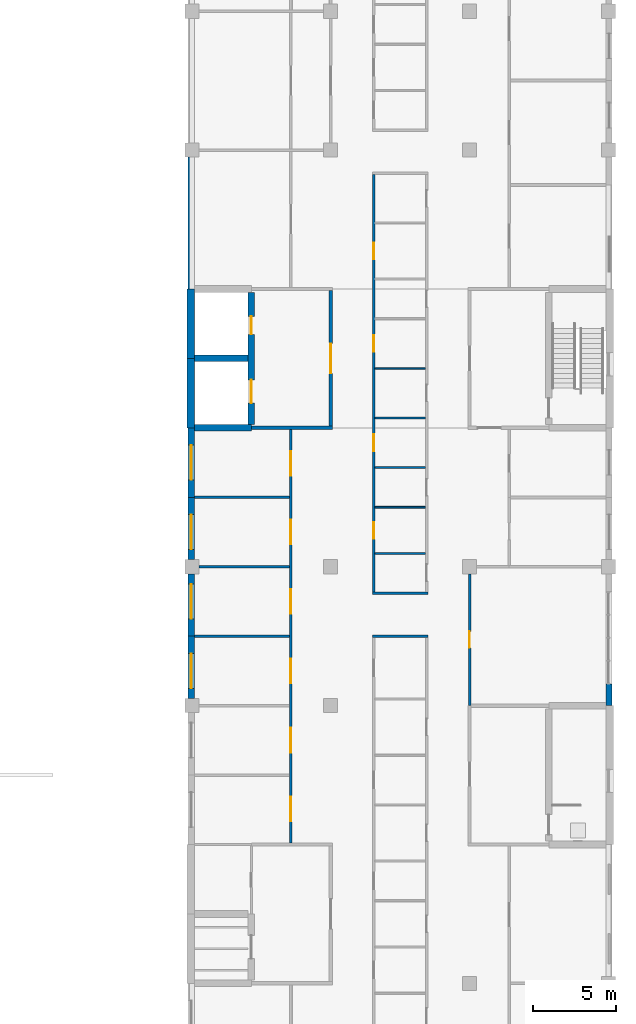
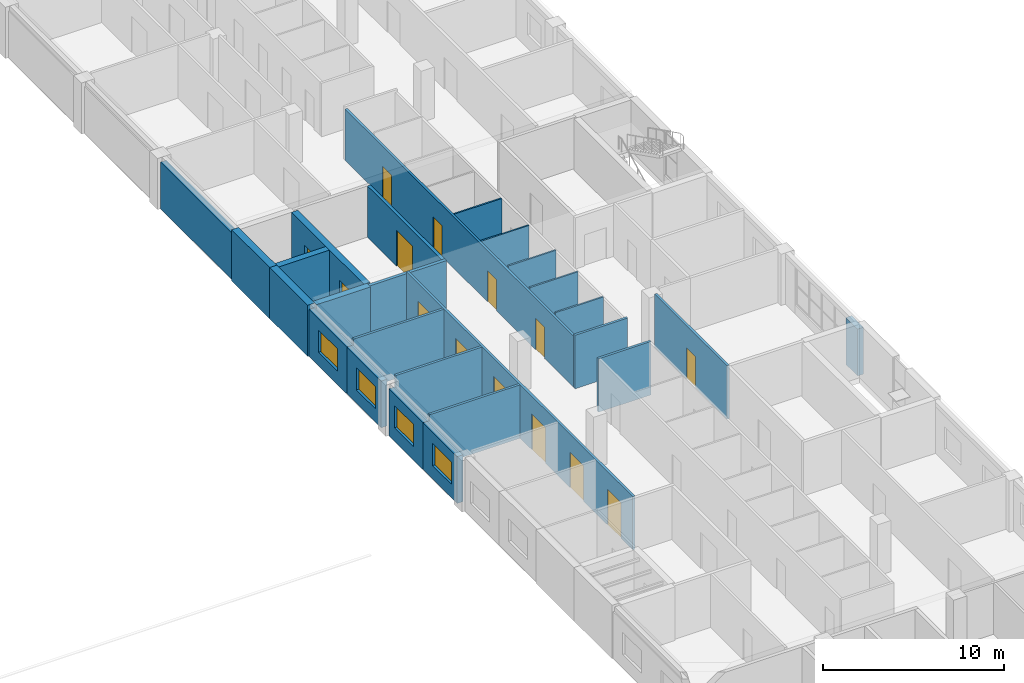
# One storey, part 75 of 94: 26 walls, 14 doors, 4 windows, 18 openings.
"""IFC4 building model written with IfcOpenShell, lengths in metres."""

import ifcopenshell
import ifcopenshell.guid

model = None  # the IFC model being written
_history = None  # IfcOwnerHistory: only IFC2X3 demands one
_inside = {}  # id of a spatial element -> (the spatial element, [elements in it])
_under = {}  # id of a project, library or spatial element -> (it, [spatial elements below it])
_declared = {}  # id of a project -> (the project, [libraries it declares])
_typed = {}  # id of a type object -> (the type object, [elements of that type])
_made_of = {}  # id of a material, layer set ... -> (it, [elements and type objects made of it])


def new_model(schema):
    """Start an empty IFC model of exactly this schema.

    Asked for "IFC4X3", IfcOpenShell would pick the latest addendum, in which some entities
    have other attributes; the version numbers below select the first issue.
    IFC2X3 requires an IfcOwnerHistory on every rooted entity: one is made here for all.
    """
    global model, _history
    if schema == "IFC4X3":
        model = ifcopenshell.file(schema_version=(4, 3, 0, 0))
    else:
        model = ifcopenshell.file(schema=schema)
    _inside.clear()
    _under.clear()
    _declared.clear()
    _typed.clear()
    _made_of.clear()
    _history = None
    if model.schema == "IFC2X3":
        org = make("IfcOrganization", Name="unknown")
        user = make(
            "IfcPersonAndOrganization",
            ThePerson=make("IfcPerson", FamilyName="unknown"),
            TheOrganization=org,
        )
        app = make(
            "IfcApplication",
            ApplicationDeveloper=org,
            Version="unknown",
            ApplicationFullName="unknown",
            ApplicationIdentifier="unknown",
        )
        _history = make(
            "IfcOwnerHistory",
            OwningUser=user,
            OwningApplication=app,
            ChangeAction="ADDED",
            CreationDate=0,
        )
    return model


def make(cls, **values):
    """One entity of the class cls with the attributes given. An attribute that is None is left unset."""
    return model.create_entity(
        cls, **{name: value for name, value in values.items() if value is not None}
    )


def rooted(cls, **values):
    """An entity with a GlobalId (a new one), such as an element, a storey or a relation."""
    return make(cls, GlobalId=ifcopenshell.guid.new(), OwnerHistory=_history, **values)


def si_unit(unit_type, name, prefix=None):
    """IfcSIUnit, for example si_unit("LENGTHUNIT", "METRE", prefix="MILLI")."""
    return make("IfcSIUnit", UnitType=unit_type, Prefix=prefix, Name=name)


def assignment(units):
    """IfcUnitAssignment: the units of a project."""
    return None if units is None else make("IfcUnitAssignment", Units=units)


def point(xyz):
    """IfcCartesianPoint."""
    return None if xyz is None else make("IfcCartesianPoint", Coordinates=xyz)


def direction(xyz):
    """IfcDirection."""
    return None if xyz is None else make("IfcDirection", DirectionRatios=xyz)


def frame(location, z_axis=None, x_axis=None):
    """IfcAxis2Placement3D, a coordinate frame: its origin and axes. An axis left out is left unset."""
    return make(
        "IfcAxis2Placement3D",
        Location=point(location),
        Axis=direction(z_axis),
        RefDirection=direction(x_axis),
    )


def frame_2d(location, x_axis=None):
    """IfcAxis2Placement2D, a coordinate frame in the plane: its origin and x axis."""
    return make(
        "IfcAxis2Placement2D", Location=point(location), RefDirection=direction(x_axis)
    )


def origin():
    """The frame at (0, 0, 0) with its axes left unset."""
    return frame((0.0, 0.0, 0.0))


def place(relative_to, where):
    """IfcLocalPlacement: puts the frame where relative to a parent placement (None: the world)."""
    return make(
        "IfcLocalPlacement", PlacementRelTo=relative_to, RelativePlacement=where
    )


def context(
    kind, dimensions, precision=None, world=None, true_north=None, identifier=None
):
    """IfcGeometricRepresentationContext, for example the 3D "Model" context."""
    return make(
        "IfcGeometricRepresentationContext",
        ContextIdentifier=identifier,
        ContextType=kind,
        CoordinateSpaceDimension=dimensions,
        Precision=precision,
        WorldCoordinateSystem=world,
        TrueNorth=true_north,
    )


def subcontext(parent, identifier, kind, view, scale=None):
    """IfcGeometricRepresentationSubContext, for example "Body" below "Model"."""
    return make(
        "IfcGeometricRepresentationSubContext",
        ContextIdentifier=identifier,
        ContextType=kind,
        ParentContext=parent,
        TargetScale=scale,
        TargetView=view,
    )


def project(units=None, contexts=None):
    """IfcProject with its units and contexts."""
    return rooted(
        "IfcProject",
        Name="project",
        RepresentationContexts=contexts,
        UnitsInContext=assignment(units),
    )


def spatial(cls, under=None, at=None, **own):
    """A site, building, storey or space (cls), placed at a placement, below another one or the project."""
    s = rooted(cls, ObjectPlacement=at, **own)
    if under is not None:
        _under.setdefault(under.id(), (under, []))[1].append(s)
    return s


def profile(cls, at=None, kind="AREA", **sizes):
    """A parametric profile (cls). Its sizes go by their IFC names, for example OverallWidth=200.0."""
    return make(cls, ProfileType=kind, Position=at, **sizes)


def rectangle(**sizes):
    """IfcRectangleProfileDef."""
    return profile("IfcRectangleProfileDef", **sizes)


def extrude(swept, where, along, depth):
    """IfcExtrudedAreaSolid: the profile swept, set in the frame where, extruded along a direction by depth."""
    return make(
        "IfcExtrudedAreaSolid",
        SweptArea=swept,
        Position=where,
        ExtrudedDirection=direction(along),
        Depth=depth,
    )


def shape(context_of_items, identifier, shape_type, items):
    """IfcShapeRepresentation: the items that make up one representation, for example the "Body"."""
    return make(
        "IfcShapeRepresentation",
        ContextOfItems=context_of_items,
        RepresentationIdentifier=identifier,
        RepresentationType=shape_type,
        Items=items,
    )


def material(Name=None, Category=None):
    """IfcMaterial."""
    return make("IfcMaterial", Name=Name, Category=Category)


def layer(
    of_material, thickness, ventilated=None, Name=None, Category=None, Priority=None
):
    """IfcMaterialLayer: one layer of a wall or slab, of a material (None: an air gap)."""
    return make(
        "IfcMaterialLayer",
        Material=of_material,
        LayerThickness=thickness,
        IsVentilated=ventilated,
        Name=Name,
        Category=Category,
        Priority=Priority,
    )


def layer_set(layers, Name=None):
    """IfcMaterialLayerSet."""
    return make("IfcMaterialLayerSet", MaterialLayers=layers, LayerSetName=Name)


def made_of(thing, what):
    """Note that an element or type object is made of a material, layer set ...; save() writes the relation."""
    if what is not None:
        _made_of.setdefault(what.id(), (what, []))[1].append(thing)
    return thing


def type_object(cls, material=None, **own):
    """A type object (cls), such as IfcWallType, which elements share."""
    return made_of(rooted(cls, **own), material)


def element(
    cls,
    number,
    at=None,
    inside=None,
    cuts=None,
    type_object=None,
    material=None,
    context=None,
    identifier="Body",
    shape_type=None,
    held_by="IfcProductDefinitionShape",
    body=None,
    shapes=None,
    **own,
):
    """One element of the class cls, such as IfcWall. Its Tag is "e" and its number.

    at: its placement. inside: the storey or other place that contains it. cuts: it is an
    opening in that element (IfcRelVoidsElement). A single representation is given by context,
    identifier, shape_type and body (its items); several are given by shapes. held_by: the class
    of the entity that holds the representations. save() writes the other relations.
    """
    e = rooted(cls, Tag="e%d" % number, ObjectPlacement=at, **own)
    if body is not None:
        shapes = [shape(context, identifier, shape_type, body)]
    if shapes is not None:
        e.Representation = make(held_by, Representations=shapes)
    if inside is not None:
        _inside.setdefault(inside.id(), (inside, []))[1].append(e)
    if cuts is not None:
        rooted(
            "IfcRelVoidsElement", RelatingBuildingElement=cuts, RelatedOpeningElement=e
        )
    if type_object is not None:
        _typed.setdefault(type_object.id(), (type_object, []))[1].append(e)
    return made_of(e, material)


def fill(opening, filler):
    """IfcRelFillsElement: the door or window that sits in an opening."""
    return rooted(
        "IfcRelFillsElement",
        RelatingOpeningElement=opening,
        RelatedBuildingElement=filler,
    )


def aggregate(whole, parts):
    """IfcRelAggregates: a whole, such as a stair, and the parts it consists of."""
    return rooted("IfcRelAggregates", RelatingObject=whole, RelatedObjects=parts)


def save(model, path):
    """Write the relations noted so far, then the file.

    IfcRelAggregates (storeys below a building ...), IfcRelContainedInSpatialStructure (elements
    in a storey), IfcRelDefinesByType, IfcRelAssociatesMaterial and IfcRelDeclares: one each for
    every whole, place, type object, material and project.
    """
    for whole, parts in _under.values():
        aggregate(whole, parts)
    for where, things in _inside.values():
        rooted(
            "IfcRelContainedInSpatialStructure",
            RelatedElements=things,
            RelatingStructure=where,
        )
    for kind, things in _typed.values():
        rooted("IfcRelDefinesByType", RelatedObjects=things, RelatingType=kind)
    for what, things in _made_of.values():
        rooted("IfcRelAssociatesMaterial", RelatedObjects=things, RelatingMaterial=what)
    for by, libraries in _declared.values():
        rooted("IfcRelDeclares", RelatingContext=by, RelatedDefinitions=libraries)
    model.write(path)


model = new_model("IFC4")

# Units and contexts
model_context = context("Model", 3, precision=1e-05, world=origin(), true_north=direction((0.0, 1.0)))
body_context = subcontext(model_context, "Body", "Model", "MODEL_VIEW")
ifc_project = project(units=[si_unit("LENGTHUNIT", "METRE"), si_unit("AREAUNIT", "SQUARE_METRE"), si_unit("VOLUMEUNIT", "CUBIC_METRE"), si_unit("PLANEANGLEUNIT", "RADIAN"), si_unit("MASSUNIT", "GRAM", prefix="KILO")], contexts=[model_context])

# Site, building, storey
site_placement = place(None, origin())
site = spatial("IfcSite", under=ifc_project, at=site_placement, CompositionType="ELEMENT")
building_placement = place(site_placement, origin())
building = spatial("IfcBuilding", under=site, at=building_placement, Name="Yavir Park General Hospital", CompositionType="ELEMENT")
storey_placement = place(building_placement, frame((0.0, 0.0, 4.5)))
storey = spatial("IfcBuildingStorey", under=building, at=storey_placement, Name="L01", CompositionType="ELEMENT", Elevation=4.5)

# Wall
ifc_material_1 = material(Name="Double gypsum board fire partition on steel studs", Category="steel")
ifc_layer_1 = layer(ifc_material_1, 0.199951171875)
ifc_layer_set_1 = layer_set([ifc_layer_1], Name="Double gypsum board fire partition on steel studs")
wall_type_1 = type_object("IfcWallType", Name="Fire-rated partition 200, EI 60", PredefinedType="PARTITIONING", material=ifc_layer_set_1)
wall_1_placement = place(storey_placement, frame((146.39990234375, 75.60009765625, 0.0), z_axis=(0.0, 0.0, 1.0), x_axis=(1.0, 0.0, 0.0)))
element("IfcWall", 1, at=wall_1_placement, inside=storey, type_object=wall_type_1, Name="FP20 L01-215", PredefinedType="PARTITIONING", context=body_context, shape_type="SweptSolid", body=[
    extrude(rectangle(XDim=4.900146484375, YDim=0.199951171875, at=frame_2d((2.4501953125, 0.0))), origin(), (0.0, 0.0, 1.0), 3.449951171875),
])

# Wall, opening, door
wall_2_placement = place(storey_placement, frame((151.199951171875, 75.699951171875, 0.0), z_axis=(0.0, 0.0, 1.0), x_axis=(0.0, 1.0, 0.0)))
wall_2 = element("IfcWall", 2, at=wall_2_placement, inside=storey, type_object=wall_type_1, Name="FP20 L01-474", PredefinedType="PARTITIONING", context=body_context, shape_type="SweptSolid", body=[
    extrude(rectangle(XDim=8.199951171875, YDim=0.199951171875, at=frame_2d((4.10009765625, 0.0))), origin(), (0.0, 0.0, 1.0), 3.449951171875),
])
opening_1_placement = place(wall_2_placement, frame((3.199951171875, 0.0, 0.0)))
opening_1 = element("IfcOpeningElement", 3, at=opening_1_placement, cuts=wall_2, Name="Opening L01.D264", PredefinedType="OPENING", context=body_context, shape_type="SweptSolid", body=[
    extrude(rectangle(XDim=1.800048828125, YDim=2.39990234375, at=frame_2d((0.89990234375, 1.199951171875))), frame((0.0, 0.10986328125, 0.0), z_axis=(0.0, -1.0, 0.0), x_axis=(1.0, 0.0, 0.0)), (0.0, 0.0, 1.0), 0.219970703125),
])
ifc_material_2 = material(Name="Steel frame, fire-resisting leaves with vision panels", Category="steel")
door_type_1 = type_object("IfcDoorType", Name="Double fire door with vision panels 1800 x 2400, EI 60", OperationType="DOUBLE_DOOR_SINGLE_SWING", PredefinedType="DOOR", material=ifc_material_2)
door_1_placement = place(opening_1_placement, origin())
door_1 = element("IfcDoor", 4, at=door_1_placement, inside=storey, type_object=door_type_1, Name="L01.D264", OperationType="SINGLE_SWING_LEFT", OverallHeight=2.39990234375, OverallWidth=1.800048828125, PredefinedType="DOOR", context=body_context, shape_type="SweptSolid", body=[
    extrude(rectangle(XDim=1.800048828125, YDim=2.39990234375, at=frame_2d((0.89990234375, 1.199951171875))), frame((0.0, 0.030029296875, 0.0), z_axis=(0.0, -1.0, 0.0), x_axis=(1.0, 0.0, 0.0)), (0.0, 0.0, 1.0), 0.06005859375),
])
fill(opening_1, door_1)

# Walls
ifc_material_3 = material(Name="Gypsum board partition on steel studs", Category="steel")
ifc_layer_2 = layer(ifc_material_3, 0.10009765625)
ifc_layer_set_2 = layer_set([ifc_layer_2], Name="Gypsum board partition on steel studs")
wall_type_2 = type_object("IfcWallType", Name="Gypsum board partition 100", PredefinedType="PARTITIONING", material=ifc_layer_set_2)
for number, where, z_axis, x_axis, name in (
    (5, (153.875, 68.0, 0.0), (0.0, 0.0, 1.0), (1.0, 0.0, 0.0), "P10 L01-197"),
    (6, (153.875, 70.800048828125, 0.0), (0.0, 0.0, 1.0), (1.0, 0.0, 0.0), "P10 L01-200"),
    (7, (153.875, 73.199951171875, 0.0), (0.0, 0.0, 1.0), (1.0, 0.0, 0.0), "P10 L01-209"),
):
    element("IfcWall", number, at=place(storey_placement, frame(where, z_axis=z_axis, x_axis=x_axis)), inside=storey, type_object=wall_type_2, Name=name, PredefinedType="PARTITIONING", context=body_context, shape_type="SweptSolid", body=[
        extrude(rectangle(XDim=3.050048828125, YDim=0.10009765625, at=frame_2d((1.52490234375, 0.0))), origin(), (0.0, 0.0, 1.0), 3.60009765625),
    ])
for number, where, z_axis, x_axis, name in (
    (8, (153.875, 76.199951171875, 0.0), (0.0, 0.0, 1.0), (1.0, 0.0, 0.0), "P10 L01-219"),
    (9, (153.875, 79.199951171875, 0.0), (0.0, 0.0, 1.0), (1.0, 0.0, 0.0), "P10 L01-221"),
):
    element("IfcWall", number, at=place(storey_placement, frame(where, z_axis=z_axis, x_axis=x_axis)), inside=storey, type_object=wall_type_2, Name=name, PredefinedType="PARTITIONING", context=body_context, shape_type="SweptSolid", body=[
        extrude(rectangle(XDim=3.050048828125, YDim=0.10009765625, at=frame_2d((1.52490234375, 0.0))), origin(), (0.0, 0.0, 1.0), 3.449951171875),
    ])
ifc_material_4 = material(Name="Gypsum board partition on steel studs", Category="steel")
ifc_layer_3 = layer(ifc_material_4, 0.14990234375)
ifc_layer_set_3 = layer_set([ifc_layer_3], Name="Gypsum board partition on steel studs")
wall_type_3 = type_object("IfcWallType", Name="Gypsum board partition 150", PredefinedType="PARTITIONING", material=ifc_layer_set_3)
wall_3_placement = place(storey_placement, frame((142.949951171875, 63.0, 0.0), z_axis=(0.0, 0.0, 1.0), x_axis=(1.0, 0.0, 0.0)))
element("IfcWall", 10, at=wall_3_placement, inside=storey, type_object=wall_type_3, Name="P15 L01-182", PredefinedType="PARTITIONING", context=body_context, shape_type="SweptSolid", body=[
    extrude(rectangle(XDim=5.775146484375, YDim=0.14990234375, at=frame_2d((2.8876953125, 0.0))), origin(), (0.0, 0.0, 1.0), 3.60009765625),
])
for number, where, z_axis, x_axis, name in (
    (11, (153.72509765625, 63.0, 0.0), (0.0, 0.0, 1.0), (1.0, 0.0, 0.0), "P15 L01-183"),
    (12, (153.72509765625, 65.60009765625, 0.0), (0.0, 0.0, 1.0), (1.0, 0.0, 0.0), "P15 L01-185"),
):
    element("IfcWall", number, at=place(storey_placement, frame(where, z_axis=z_axis, x_axis=x_axis)), inside=storey, type_object=wall_type_3, Name=name, PredefinedType="PARTITIONING", context=body_context, shape_type="SweptSolid", body=[
        extrude(rectangle(XDim=3.349853515625, YDim=0.14990234375, at=frame_2d((1.6748046875, 0.0))), origin(), (0.0, 0.0, 1.0), 3.60009765625),
    ])
wall_4_placement = place(storey_placement, frame((143.22509765625, 67.199951171875, 0.0), z_axis=(0.0, 0.0, 1.0), x_axis=(1.0, 0.0, 0.0)))
element("IfcWall", 13, at=wall_4_placement, inside=storey, type_object=wall_type_3, Name="P15 L01-194", PredefinedType="PARTITIONING", context=body_context, shape_type="SweptSolid", body=[
    extrude(rectangle(XDim=5.5, YDim=0.14990234375, at=frame_2d((2.75, 0.0))), origin(), (0.0, 0.0, 1.0), 3.60009765625),
])
wall_5_placement = place(storey_placement, frame((142.949951171875, 71.39990234375, 0.0), z_axis=(0.0, 0.0, 1.0), x_axis=(1.0, 0.0, 0.0)))
element("IfcWall", 14, at=wall_5_placement, inside=storey, type_object=wall_type_3, Name="P15 L01-202", PredefinedType="PARTITIONING", context=body_context, shape_type="SweptSolid", body=[
    extrude(rectangle(XDim=5.775146484375, YDim=0.14990234375, at=frame_2d((2.8876953125, 0.0))), origin(), (0.0, 0.0, 1.0), 3.60009765625),
])

# Wall, openings, doors
wall_6_placement = place(storey_placement, frame((148.800048828125, 50.5, 0.0), z_axis=(0.0, 0.0, 1.0), x_axis=(0.0, 1.0, 0.0)))
wall_6 = element("IfcWall", 15, at=wall_6_placement, inside=storey, type_object=wall_type_3, Name="P15 L01-464", PredefinedType="PARTITIONING", context=body_context, shape_type="SweptSolid", body=[
    extrude(rectangle(XDim=25.0, YDim=0.14990234375, at=frame_2d((12.5, 0.0))), origin(), (0.0, 0.0, 1.0), 3.60009765625),
])
opening_2_placement = place(wall_6_placement, frame((1.300048828125, 0.0, 0.0)))
opening_2 = element("IfcOpeningElement", 16, at=opening_2_placement, cuts=wall_6, Name="Opening L01.D252", PredefinedType="OPENING", context=body_context, shape_type="SweptSolid", body=[
    extrude(rectangle(XDim=1.5, YDim=2.39990234375, at=frame_2d((0.75, 1.199951171875))), frame((0.0, 0.0849609375, 0.0), z_axis=(0.0, -1.0, 0.0), x_axis=(1.0, 0.0, 0.0)), (0.0, 0.0, 1.0), 0.169921875),
])
opening_3_placement = place(wall_6_placement, frame((5.449951171875, 0.0, 0.0)))
opening_3 = element("IfcOpeningElement", 17, at=opening_3_placement, cuts=wall_6, Name="Opening L01.D253", PredefinedType="OPENING", context=body_context, shape_type="SweptSolid", body=[
    extrude(rectangle(XDim=1.5, YDim=2.39990234375, at=frame_2d((0.75, 1.199951171875))), frame((0.0, 0.0849609375, 0.0), z_axis=(0.0, -1.0, 0.0), x_axis=(1.0, 0.0, 0.0)), (0.0, 0.0, 1.0), 0.169921875),
])
opening_4_placement = place(wall_6_placement, frame((9.64990234375, 0.0, 0.0)))
opening_4 = element("IfcOpeningElement", 18, at=opening_4_placement, cuts=wall_6, Name="Opening L01.D254", PredefinedType="OPENING", context=body_context, shape_type="SweptSolid", body=[
    extrude(rectangle(XDim=1.5, YDim=2.39990234375, at=frame_2d((0.75, 1.199951171875))), frame((0.0, 0.0849609375, 0.0), z_axis=(0.0, -1.0, 0.0), x_axis=(1.0, 0.0, 0.0)), (0.0, 0.0, 1.0), 0.169921875),
])
opening_5_placement = place(wall_6_placement, frame((13.85009765625, 0.0, 0.0)))
opening_5 = element("IfcOpeningElement", 19, at=opening_5_placement, cuts=wall_6, Name="Opening L01.D255", PredefinedType="OPENING", context=body_context, shape_type="SweptSolid", body=[
    extrude(rectangle(XDim=1.5, YDim=2.39990234375, at=frame_2d((0.75, 1.199951171875))), frame((0.0, 0.0849609375, 0.0), z_axis=(0.0, -1.0, 0.0), x_axis=(1.0, 0.0, 0.0)), (0.0, 0.0, 1.0), 0.169921875),
])
opening_6_placement = place(wall_6_placement, frame((18.050048828125, 0.0, 0.0)))
opening_6 = element("IfcOpeningElement", 20, at=opening_6_placement, cuts=wall_6, Name="Opening L01.D256", PredefinedType="OPENING", context=body_context, shape_type="SweptSolid", body=[
    extrude(rectangle(XDim=1.5, YDim=2.39990234375, at=frame_2d((0.75, 1.199951171875))), frame((0.0, 0.0849609375, 0.0), z_axis=(0.0, -1.0, 0.0), x_axis=(1.0, 0.0, 0.0)), (0.0, 0.0, 1.0), 0.169921875),
])
opening_7_placement = place(wall_6_placement, frame((22.199951171875, 0.0, 0.0)))
opening_7 = element("IfcOpeningElement", 21, at=opening_7_placement, cuts=wall_6, Name="Opening L01.D257", PredefinedType="OPENING", context=body_context, shape_type="SweptSolid", body=[
    extrude(rectangle(XDim=1.5, YDim=2.39990234375, at=frame_2d((0.75, 1.199951171875))), frame((0.0, 0.0849609375, 0.0), z_axis=(0.0, -1.0, 0.0), x_axis=(1.0, 0.0, 0.0)), (0.0, 0.0, 1.0), 0.169921875),
])
ifc_material_5 = material(Name="Solid-core timber leaves, push plates, kick plates", Category="wood")
door_type_2 = type_object("IfcDoorType", Name="Bed door, unequal leaves 1500 x 2400", OperationType="DOUBLE_DOOR_SINGLE_SWING", PredefinedType="DOOR", material=ifc_material_5)
door_2_placement = place(opening_2_placement, origin())
door_2 = element("IfcDoor", 22, at=door_2_placement, inside=storey, type_object=door_type_2, Name="L01.D252", OperationType="SINGLE_SWING_LEFT", OverallHeight=2.39990234375, OverallWidth=1.5, PredefinedType="DOOR", context=body_context, shape_type="SweptSolid", body=[
    extrude(rectangle(XDim=1.5, YDim=2.39990234375, at=frame_2d((0.75, 1.199951171875))), frame((0.0, 0.030029296875, 0.0), z_axis=(0.0, -1.0, 0.0), x_axis=(1.0, 0.0, 0.0)), (0.0, 0.0, 1.0), 0.06005859375),
])
fill(opening_2, door_2)
door_3_placement = place(opening_3_placement, origin())
door_3 = element("IfcDoor", 23, at=door_3_placement, inside=storey, type_object=door_type_2, Name="L01.D253", OperationType="SINGLE_SWING_RIGHT", OverallHeight=2.39990234375, OverallWidth=1.5, PredefinedType="DOOR", context=body_context, shape_type="SweptSolid", body=[
    extrude(rectangle(XDim=1.5, YDim=2.39990234375, at=frame_2d((0.75, 1.199951171875))), frame((0.0, 0.030029296875, 0.0), z_axis=(0.0, -1.0, 0.0), x_axis=(1.0, 0.0, 0.0)), (0.0, 0.0, 1.0), 0.06005859375),
])
fill(opening_3, door_3)
door_4_placement = place(opening_4_placement, origin())
door_4 = element("IfcDoor", 24, at=door_4_placement, inside=storey, type_object=door_type_2, Name="L01.D254", OperationType="SINGLE_SWING_RIGHT", OverallHeight=2.39990234375, OverallWidth=1.5, PredefinedType="DOOR", context=body_context, shape_type="SweptSolid", body=[
    extrude(rectangle(XDim=1.5, YDim=2.39990234375, at=frame_2d((0.75, 1.199951171875))), frame((0.0, 0.030029296875, 0.0), z_axis=(0.0, -1.0, 0.0), x_axis=(1.0, 0.0, 0.0)), (0.0, 0.0, 1.0), 0.06005859375),
])
fill(opening_4, door_4)
door_5_placement = place(opening_5_placement, origin())
door_5 = element("IfcDoor", 25, at=door_5_placement, inside=storey, type_object=door_type_2, Name="L01.D255", OperationType="SINGLE_SWING_RIGHT", OverallHeight=2.39990234375, OverallWidth=1.5, PredefinedType="DOOR", context=body_context, shape_type="SweptSolid", body=[
    extrude(rectangle(XDim=1.5, YDim=2.39990234375, at=frame_2d((0.75, 1.199951171875))), frame((0.0, 0.030029296875, 0.0), z_axis=(0.0, -1.0, 0.0), x_axis=(1.0, 0.0, 0.0)), (0.0, 0.0, 1.0), 0.06005859375),
])
fill(opening_5, door_5)
door_6_placement = place(opening_6_placement, origin())
door_6 = element("IfcDoor", 26, at=door_6_placement, inside=storey, type_object=door_type_2, Name="L01.D256", OperationType="SINGLE_SWING_RIGHT", OverallHeight=2.39990234375, OverallWidth=1.5, PredefinedType="DOOR", context=body_context, shape_type="SweptSolid", body=[
    extrude(rectangle(XDim=1.5, YDim=2.39990234375, at=frame_2d((0.75, 1.199951171875))), frame((0.0, 0.030029296875, 0.0), z_axis=(0.0, -1.0, 0.0), x_axis=(1.0, 0.0, 0.0)), (0.0, 0.0, 1.0), 0.06005859375),
])
fill(opening_6, door_6)
door_7_placement = place(opening_7_placement, origin())
door_7 = element("IfcDoor", 27, at=door_7_placement, inside=storey, type_object=door_type_2, Name="L01.D257", OperationType="SINGLE_SWING_RIGHT", OverallHeight=2.39990234375, OverallWidth=1.5, PredefinedType="DOOR", context=body_context, shape_type="SweptSolid", body=[
    extrude(rectangle(XDim=1.5, YDim=2.39990234375, at=frame_2d((0.75, 1.199951171875))), frame((0.0, 0.030029296875, 0.0), z_axis=(0.0, -1.0, 0.0), x_axis=(1.0, 0.0, 0.0)), (0.0, 0.0, 1.0), 0.06005859375),
])
fill(opening_7, door_7)

wall_7_placement = place(storey_placement, frame((153.800048828125, 65.675048828125, 0.0), z_axis=(0.0, 0.0, 1.0), x_axis=(0.0, 1.0, 0.0)))
wall_7 = element("IfcWall", 28, at=wall_7_placement, inside=storey, type_object=wall_type_3, Name="P15 L01-480", PredefinedType="PARTITIONING", context=body_context, shape_type="SweptSolid", body=[
    extrude(rectangle(XDim=25.25, YDim=0.14990234375, at=frame_2d((12.625, 0.0))), origin(), (0.0, 0.0, 1.0), 3.449951171875),
])
opening_8_placement = place(wall_7_placement, frame((3.22509765625, 0.0, 0.0)))
opening_8 = element("IfcOpeningElement", 29, at=opening_8_placement, cuts=wall_7, Name="Opening L01.D272", PredefinedType="OPENING", context=body_context, shape_type="SweptSolid", body=[
    extrude(rectangle(XDim=1.0, YDim=2.10009765625, at=frame_2d((0.5, 1.050048828125))), frame((0.0, 0.0849609375, 0.0), z_axis=(0.0, -1.0, 0.0), x_axis=(1.0, 0.0, 0.0)), (0.0, 0.0, 1.0), 0.169921875),
])
opening_9_placement = place(wall_7_placement, frame((8.52490234375, 0.0, 0.0)))
opening_9 = element("IfcOpeningElement", 30, at=opening_9_placement, cuts=wall_7, Name="Opening L01.D273", PredefinedType="OPENING", context=body_context, shape_type="SweptSolid", body=[
    extrude(rectangle(XDim=1.0, YDim=2.10009765625, at=frame_2d((0.5, 1.050048828125))), frame((0.0, 0.0849609375, 0.0), z_axis=(0.0, -1.0, 0.0), x_axis=(1.0, 0.0, 0.0)), (0.0, 0.0, 1.0), 0.169921875),
])
opening_10_placement = place(wall_7_placement, frame((14.52490234375, 0.0, 0.0)))
opening_10 = element("IfcOpeningElement", 31, at=opening_10_placement, cuts=wall_7, Name="Opening L01.D274", PredefinedType="OPENING", context=body_context, shape_type="SweptSolid", body=[
    extrude(rectangle(XDim=1.0, YDim=2.10009765625, at=frame_2d((0.5, 1.050048828125))), frame((0.0, 0.0849609375, 0.0), z_axis=(0.0, -1.0, 0.0), x_axis=(1.0, 0.0, 0.0)), (0.0, 0.0, 1.0), 0.169921875),
])
opening_11_placement = place(wall_7_placement, frame((20.125, 0.0, 0.0)))
opening_11 = element("IfcOpeningElement", 32, at=opening_11_placement, cuts=wall_7, Name="Opening L01.D275", PredefinedType="OPENING", context=body_context, shape_type="SweptSolid", body=[
    extrude(rectangle(XDim=1.0, YDim=2.10009765625, at=frame_2d((0.5, 1.050048828125))), frame((0.0, 0.0849609375, 0.0), z_axis=(0.0, -1.0, 0.0), x_axis=(1.0, 0.0, 0.0)), (0.0, 0.0, 1.0), 0.169921875),
])
ifc_material_6 = material(Name="Hollow metal frame, solid-core timber leaf", Category="wood")
door_type_3 = type_object("IfcDoorType", Name="Single swing door 1000 x 2100", OperationType="SINGLE_SWING_LEFT", PredefinedType="DOOR", material=ifc_material_6)
door_8_placement = place(opening_8_placement, origin())
door_8 = element("IfcDoor", 33, at=door_8_placement, inside=storey, type_object=door_type_3, Name="L01.D272", OperationType="SINGLE_SWING_LEFT", OverallHeight=2.10009765625, OverallWidth=1.0, PredefinedType="DOOR", context=body_context, shape_type="SweptSolid", body=[
    extrude(rectangle(XDim=1.0, YDim=2.10009765625, at=frame_2d((0.5, 1.050048828125))), frame((0.0, 0.02490234375, 0.0), z_axis=(0.0, -1.0, 0.0), x_axis=(1.0, 0.0, 0.0)), (0.0, 0.0, 1.0), 0.050048828125),
])
fill(opening_8, door_8)
door_9_placement = place(opening_9_placement, origin())
door_9 = element("IfcDoor", 34, at=door_9_placement, inside=storey, type_object=door_type_3, Name="L01.D273", OperationType="SINGLE_SWING_LEFT", OverallHeight=2.10009765625, OverallWidth=1.0, PredefinedType="DOOR", context=body_context, shape_type="SweptSolid", body=[
    extrude(rectangle(XDim=1.0, YDim=2.10009765625, at=frame_2d((0.5, 1.050048828125))), frame((0.0, 0.02490234375, 0.0), z_axis=(0.0, -1.0, 0.0), x_axis=(1.0, 0.0, 0.0)), (0.0, 0.0, 1.0), 0.050048828125),
])
fill(opening_9, door_9)
door_10_placement = place(opening_10_placement, origin())
door_10 = element("IfcDoor", 35, at=door_10_placement, inside=storey, type_object=door_type_3, Name="L01.D274", OperationType="SINGLE_SWING_LEFT", OverallHeight=2.10009765625, OverallWidth=1.0, PredefinedType="DOOR", context=body_context, shape_type="SweptSolid", body=[
    extrude(rectangle(XDim=1.0, YDim=2.10009765625, at=frame_2d((0.5, 1.050048828125))), frame((0.0, 0.02490234375, 0.0), z_axis=(0.0, -1.0, 0.0), x_axis=(1.0, 0.0, 0.0)), (0.0, 0.0, 1.0), 0.050048828125),
])
fill(opening_10, door_10)
door_11_placement = place(opening_11_placement, origin())
door_11 = element("IfcDoor", 36, at=door_11_placement, inside=storey, type_object=door_type_3, Name="L01.D275", OperationType="SINGLE_SWING_LEFT", OverallHeight=2.10009765625, OverallWidth=1.0, PredefinedType="DOOR", context=body_context, shape_type="SweptSolid", body=[
    extrude(rectangle(XDim=1.0, YDim=2.10009765625, at=frame_2d((0.5, 1.050048828125))), frame((0.0, 0.02490234375, 0.0), z_axis=(0.0, -1.0, 0.0), x_axis=(1.0, 0.0, 0.0)), (0.0, 0.0, 1.0), 0.050048828125),
])
fill(opening_11, door_11)

# Wall, opening, door
wall_8_placement = place(storey_placement, frame((159.60009765625, 58.800048828125, 0.0), z_axis=(0.0, 0.0, 1.0), x_axis=(0.0, 1.0, 0.0)))
wall_8 = element("IfcWall", 37, at=wall_8_placement, inside=storey, type_object=wall_type_3, Name="P15 L01-496", PredefinedType="PARTITIONING", context=body_context, shape_type="SweptSolid", body=[
    extrude(rectangle(XDim=7.974853515625, YDim=0.14990234375, at=frame_2d((3.9873046875, 0.0))), origin(), (0.0, 0.0, 1.0), 3.60009765625),
])
opening_12_placement = place(wall_8_placement, frame((3.487548828125, 0.0, 0.0)))
opening_12 = element("IfcOpeningElement", 38, at=opening_12_placement, cuts=wall_8, Name="Opening L01.D295", PredefinedType="OPENING", context=body_context, shape_type="SweptSolid", body=[
    extrude(rectangle(XDim=1.0, YDim=2.10009765625, at=frame_2d((0.5, 1.050048828125))), frame((0.0, 0.0849609375, 0.0), z_axis=(0.0, -1.0, 0.0), x_axis=(1.0, 0.0, 0.0)), (0.0, 0.0, 1.0), 0.169921875),
])
door_12_placement = place(opening_12_placement, origin())
door_12 = element("IfcDoor", 39, at=door_12_placement, inside=storey, type_object=door_type_3, Name="L01.D295", OperationType="SINGLE_SWING_LEFT", OverallHeight=2.10009765625, OverallWidth=1.0, PredefinedType="DOOR", context=body_context, shape_type="SweptSolid", body=[
    extrude(rectangle(XDim=1.0, YDim=2.10009765625, at=frame_2d((0.5, 1.050048828125))), frame((0.0, 0.02490234375, 0.0), z_axis=(0.0, -1.0, 0.0), x_axis=(1.0, 0.0, 0.0)), (0.0, 0.0, 1.0), 0.050048828125),
])
fill(opening_12, door_12)

# Wall, opening, window
ifc_material_7 = material(Name="Autoclaved aerated block, 150 mm mineral wool and sand-coloured mineral render")
ifc_layer_4 = layer(ifc_material_7, 0.375)
ifc_layer_set_4 = layer_set([ifc_layer_4], Name="Autoclaved aerated block, 150 mm mineral wool and sand-coloured mineral render")
wall_type_4 = type_object("IfcWallType", Name="Mineral render clinical wall 375, E 30", PredefinedType="SOLIDWALL", material=ifc_layer_set_4)
wall_9_placement = place(storey_placement, frame((142.762451171875, 59.22509765625, 0.0), z_axis=(0.0, 0.0, 1.0), x_axis=(0.0, 1.0, 0.0)))
wall_9 = element("IfcWall", 40, at=wall_9_placement, inside=storey, type_object=wall_type_4, Name="XW1 L01-198", PredefinedType="SOLIDWALL", context=body_context, shape_type="SweptSolid", body=[
    extrude(rectangle(XDim=3.77490234375, YDim=0.375, at=frame_2d((1.887451171875, 0.0))), origin(), (0.0, 0.0, 1.0), 3.14990234375),
])
opening_13_placement = place(wall_9_placement, frame((0.625, 0.0, 0.89990234375)))
opening_13 = element("IfcOpeningElement", 41, at=opening_13_placement, cuts=wall_9, Name="Opening WA", PredefinedType="OPENING", context=body_context, shape_type="SweptSolid", body=[
    extrude(rectangle(XDim=2.10009765625, YDim=1.5, at=frame_2d((1.050048828125, 0.75))), frame((0.0, 0.197509765625, 0.0), z_axis=(0.0, -1.0, 0.0), x_axis=(1.0, 0.0, 0.0)), (0.0, 0.0, 1.0), 0.39501953125),
])
ifc_material_8 = material(Name="Aluminium frame, double glazed unit", Category="aluminium")
window_type = type_object("IfcWindowType", Name="Ward window 2100 x 1500", PartitioningType="DOUBLE_PANEL_VERTICAL", PredefinedType="WINDOW", material=ifc_material_8)
window_1_placement = place(opening_13_placement, origin())
window_1 = element("IfcWindow", 42, at=window_1_placement, inside=storey, type_object=window_type, Name="WA L01-107", OverallHeight=1.5, OverallWidth=2.10009765625, PartitioningType="DOUBLE_PANEL_VERTICAL", PredefinedType="WINDOW", context=body_context, shape_type="SweptSolid", body=[
    extrude(rectangle(XDim=2.10009765625, YDim=1.5, at=frame_2d((1.050048828125, 0.75))), frame((0.0, 0.030029296875, 0.0), z_axis=(0.0, -1.0, 0.0), x_axis=(1.0, 0.0, 0.0)), (0.0, 0.0, 1.0), 0.06005859375),
])
fill(opening_13, window_1)

wall_10_placement = place(storey_placement, frame((142.762451171875, 63.0, 0.0), z_axis=(0.0, 0.0, 1.0), x_axis=(0.0, 1.0, 0.0)))
wall_10 = element("IfcWall", 43, at=wall_10_placement, inside=storey, type_object=wall_type_4, Name="XW1 L01-199", PredefinedType="SOLIDWALL", context=body_context, shape_type="SweptSolid", body=[
    extrude(rectangle(XDim=3.77490234375, YDim=0.375, at=frame_2d((1.887451171875, 0.0))), origin(), (0.0, 0.0, 1.0), 3.14990234375),
])
opening_14_placement = place(wall_10_placement, frame((1.050048828125, 0.0, 0.89990234375)))
opening_14 = element("IfcOpeningElement", 44, at=opening_14_placement, cuts=wall_10, Name="Opening WA", PredefinedType="OPENING", context=body_context, shape_type="SweptSolid", body=[
    extrude(rectangle(XDim=2.10009765625, YDim=1.5, at=frame_2d((1.050048828125, 0.75))), frame((0.0, 0.197509765625, 0.0), z_axis=(0.0, -1.0, 0.0), x_axis=(1.0, 0.0, 0.0)), (0.0, 0.0, 1.0), 0.39501953125),
])
window_2_placement = place(opening_14_placement, origin())
window_2 = element("IfcWindow", 45, at=window_2_placement, inside=storey, type_object=window_type, Name="WA L01-108", OverallHeight=1.5, OverallWidth=2.10009765625, PartitioningType="DOUBLE_PANEL_VERTICAL", PredefinedType="WINDOW", context=body_context, shape_type="SweptSolid", body=[
    extrude(rectangle(XDim=2.10009765625, YDim=1.5, at=frame_2d((1.050048828125, 0.75))), frame((0.0, 0.030029296875, 0.0), z_axis=(0.0, -1.0, 0.0), x_axis=(1.0, 0.0, 0.0)), (0.0, 0.0, 1.0), 0.06005859375),
])
fill(opening_14, window_2)

wall_11_placement = place(storey_placement, frame((142.762451171875, 67.625, 0.0), z_axis=(0.0, 0.0, 1.0), x_axis=(0.0, 1.0, 0.0)))
wall_11 = element("IfcWall", 46, at=wall_11_placement, inside=storey, type_object=wall_type_4, Name="XW1 L01-200", PredefinedType="SOLIDWALL", context=body_context, shape_type="SweptSolid", body=[
    extrude(rectangle(XDim=3.77490234375, YDim=0.375, at=frame_2d((1.887451171875, 0.0))), origin(), (0.0, 0.0, 1.0), 3.14990234375),
])
opening_15_placement = place(wall_11_placement, frame((0.625, 0.0, 0.89990234375)))
opening_15 = element("IfcOpeningElement", 47, at=opening_15_placement, cuts=wall_11, Name="Opening WA", PredefinedType="OPENING", context=body_context, shape_type="SweptSolid", body=[
    extrude(rectangle(XDim=2.10009765625, YDim=1.5, at=frame_2d((1.050048828125, 0.75))), frame((0.0, 0.197509765625, 0.0), z_axis=(0.0, -1.0, 0.0), x_axis=(1.0, 0.0, 0.0)), (0.0, 0.0, 1.0), 0.39501953125),
])
window_3_placement = place(opening_15_placement, origin())
window_3 = element("IfcWindow", 48, at=window_3_placement, inside=storey, type_object=window_type, Name="WA L01-109", OverallHeight=1.5, OverallWidth=2.10009765625, PartitioningType="DOUBLE_PANEL_VERTICAL", PredefinedType="WINDOW", context=body_context, shape_type="SweptSolid", body=[
    extrude(rectangle(XDim=2.10009765625, YDim=1.5, at=frame_2d((1.050048828125, 0.75))), frame((0.0, 0.030029296875, 0.0), z_axis=(0.0, -1.0, 0.0), x_axis=(1.0, 0.0, 0.0)), (0.0, 0.0, 1.0), 0.06005859375),
])
fill(opening_15, window_3)

wall_12_placement = place(storey_placement, frame((142.762451171875, 71.39990234375, 0.0), z_axis=(0.0, 0.0, 1.0), x_axis=(0.0, 1.0, 0.0)))
wall_12 = element("IfcWall", 49, at=wall_12_placement, inside=storey, type_object=wall_type_4, Name="XW1 L01-201", PredefinedType="SOLIDWALL", context=body_context, shape_type="SweptSolid", body=[
    extrude(rectangle(XDim=4.2001953125, YDim=0.375, at=frame_2d((2.10009765625, 0.0))), origin(), (0.0, 0.0, 1.0), 3.14990234375),
])
opening_16_placement = place(wall_12_placement, frame((1.050048828125, 0.0, 0.89990234375)))
opening_16 = element("IfcOpeningElement", 50, at=opening_16_placement, cuts=wall_12, Name="Opening WA", PredefinedType="OPENING", context=body_context, shape_type="SweptSolid", body=[
    extrude(rectangle(XDim=2.10009765625, YDim=1.5, at=frame_2d((1.050048828125, 0.75))), frame((0.0, 0.197509765625, 0.0), z_axis=(0.0, -1.0, 0.0), x_axis=(1.0, 0.0, 0.0)), (0.0, 0.0, 1.0), 0.39501953125),
])
window_4_placement = place(opening_16_placement, origin())
window_4 = element("IfcWindow", 51, at=window_4_placement, inside=storey, type_object=window_type, Name="WA L01-110", OverallHeight=1.5, OverallWidth=2.10009765625, PartitioningType="DOUBLE_PANEL_VERTICAL", PredefinedType="WINDOW", context=body_context, shape_type="SweptSolid", body=[
    extrude(rectangle(XDim=2.10009765625, YDim=1.5, at=frame_2d((1.050048828125, 0.75))), frame((0.0, 0.030029296875, 0.0), z_axis=(0.0, -1.0, 0.0), x_axis=(1.0, 0.0, 0.0)), (0.0, 0.0, 1.0), 0.06005859375),
])
fill(opening_16, window_4)

# Walls
wall_13_placement = place(storey_placement, frame((142.762451171875, 84.0, 0.0), z_axis=(0.0, 0.0, 1.0), x_axis=(0.0, 1.0, 0.0)))
element("IfcWall", 52, at=wall_13_placement, inside=storey, type_object=wall_type_4, Name="XW1 L01-204", PredefinedType="SOLIDWALL", context=body_context, shape_type="SweptSolid", body=[
    extrude(rectangle(XDim=7.97509765625, YDim=0.375, at=frame_2d((3.987548828125, 0.0))), origin(), (0.0, 0.0, 1.0), 3.14990234375),
])
wall_14_placement = place(storey_placement, frame((168.03759765625, 58.800048828125, 0.0), z_axis=(0.0, 0.0, 1.0), x_axis=(0.0, 1.0, 0.0)))
element("IfcWall", 53, at=wall_14_placement, inside=storey, type_object=wall_type_4, Name="XW1 L01-223", PredefinedType="SOLIDWALL", context=body_context, shape_type="SweptSolid", body=[
    extrude(rectangle(XDim=1.300048828125, YDim=0.375, at=frame_2d((0.64990234375, 0.0))), origin(), (0.0, 0.0, 1.0), 3.14990234375),
])
ifc_material_9 = material(Name="Concrete C35/45", Category="concrete")
ifc_layer_5 = layer(ifc_material_9, 0.39990234375)
ifc_layer_set_5 = layer_set([ifc_layer_5], Name="Concrete C35/45")
wall_type_5 = type_object("IfcWallType", Name="Reinforced concrete core wall 400, REI 150", PredefinedType="SHEAR", material=ifc_layer_set_5)
wall_15_placement = place(storey_placement, frame((142.949951171875, 75.60009765625, 0.0), z_axis=(0.0, 0.0, 1.0), x_axis=(1.0, 0.0, 0.0)))
element("IfcWall", 54, at=wall_15_placement, inside=storey, type_object=wall_type_5, Name="CW40 L01-214", PredefinedType="SHEAR", context=body_context, shape_type="SweptSolid", body=[
    extrude(rectangle(XDim=3.449951171875, YDim=0.39990234375, at=frame_2d((1.72509765625, 0.0))), origin(), (0.0, 0.0, 1.0), 3.449951171875),
])
wall_16_placement = place(storey_placement, frame((142.949951171875, 79.800048828125, 0.0), z_axis=(0.0, 0.0, 1.0), x_axis=(1.0, 0.0, 0.0)))
element("IfcWall", 55, at=wall_16_placement, inside=storey, type_object=wall_type_5, Name="CW40 L01-222", PredefinedType="SHEAR", context=body_context, shape_type="SweptSolid", body=[
    extrude(rectangle(XDim=3.25, YDim=0.39990234375, at=frame_2d((1.625, 0.0))), origin(), (0.0, 0.0, 1.0), 3.449951171875),
])

# Wall, openings, doors
wall_17_placement = place(storey_placement, frame((146.39990234375, 75.800048828125, 0.0), z_axis=(0.0, 0.0, 1.0), x_axis=(0.0, 1.0, 0.0)))
wall_17 = element("IfcWall", 56, at=wall_17_placement, inside=storey, type_object=wall_type_5, Name="CW40 L01-462", PredefinedType="SHEAR", context=body_context, shape_type="SweptSolid", body=[
    extrude(rectangle(XDim=8.0, YDim=0.39990234375, at=frame_2d((4.0, 0.0))), origin(), (0.0, 0.0, 1.0), 3.449951171875),
])
opening_17_placement = place(wall_17_placement, frame((1.300048828125, 0.0, 0.0)))
opening_17 = element("IfcOpeningElement", 57, at=opening_17_placement, cuts=wall_17, Name="Opening L01.D249", PredefinedType="OPENING", context=body_context, shape_type="SweptSolid", body=[
    extrude(rectangle(XDim=1.39990234375, YDim=2.10009765625, at=frame_2d((0.699951171875, 1.050048828125))), frame((0.0, 0.2099609375, 0.0), z_axis=(0.0, -1.0, 0.0), x_axis=(1.0, 0.0, 0.0)), (0.0, 0.0, 1.0), 0.419921875),
])
opening_18_placement = place(wall_17_placement, frame((5.449951171875, 0.0, 0.0)))
opening_18 = element("IfcOpeningElement", 58, at=opening_18_placement, cuts=wall_17, Name="Opening L01.D250", PredefinedType="OPENING", context=body_context, shape_type="SweptSolid", body=[
    extrude(rectangle(XDim=1.10009765625, YDim=2.10009765625, at=frame_2d((0.550048828125, 1.050048828125))), frame((0.0, 0.2099609375, 0.0), z_axis=(0.0, -1.0, 0.0), x_axis=(1.0, 0.0, 0.0)), (0.0, 0.0, 1.0), 0.419921875),
])
ifc_material_10 = material(Name="Stainless steel landing door panels", Category="steel")
door_type_4 = type_object("IfcDoorType", Name="Lift landing door 1100 x 2100, EI 60", OperationType="SLIDING_TO_LEFT", PredefinedType="DOOR", material=ifc_material_10)
door_13_placement = place(opening_18_placement, origin())
door_13 = element("IfcDoor", 59, at=door_13_placement, inside=storey, type_object=door_type_4, Name="L01.D250", OperationType="SLIDING_TO_LEFT", OverallHeight=2.10009765625, OverallWidth=1.10009765625, PredefinedType="DOOR", context=body_context, shape_type="SweptSolid", body=[
    extrude(rectangle(XDim=1.10009765625, YDim=2.10009765625, at=frame_2d((0.550048828125, 1.050048828125))), frame((0.0, 0.02490234375, 0.0), z_axis=(0.0, -1.0, 0.0), x_axis=(1.0, 0.0, 0.0)), (0.0, 0.0, 1.0), 0.050048828125),
])
fill(opening_18, door_13)
ifc_material_11 = material(Name="Stainless steel landing door panels", Category="steel")
door_type_5 = type_object("IfcDoorType", Name="Lift landing door 1400 x 2100, EI 60", OperationType="SLIDING_TO_LEFT", PredefinedType="DOOR", material=ifc_material_11)
door_14_placement = place(opening_17_placement, origin())
door_14 = element("IfcDoor", 60, at=door_14_placement, inside=storey, type_object=door_type_5, Name="L01.D249", OperationType="SLIDING_TO_LEFT", OverallHeight=2.10009765625, OverallWidth=1.39990234375, PredefinedType="DOOR", context=body_context, shape_type="SweptSolid", body=[
    extrude(rectangle(XDim=1.39990234375, YDim=2.10009765625, at=frame_2d((0.699951171875, 1.050048828125))), frame((0.0, 0.02490234375, 0.0), z_axis=(0.0, -1.0, 0.0), x_axis=(1.0, 0.0, 0.0)), (0.0, 0.0, 1.0), 0.050048828125),
])
fill(opening_17, door_14)

# Walls
ifc_material_12 = material(Name="Concrete C30/37 precast panel with 150 mm mineral wool insulation", Category="concrete")
ifc_layer_6 = layer(ifc_material_12, 0.449951171875)
ifc_layer_set_6 = layer_set([ifc_layer_6], Name="Concrete C30/37 precast panel with 150 mm mineral wool insulation")
wall_type_6 = type_object("IfcWallType", Name="Stair enclosure wall 450, REI 150", PredefinedType="SOLIDWALL", material=ifc_layer_set_6)
for number, where, z_axis, x_axis, name in (
    (61, (142.72509765625, 75.60009765625, 0.0), (0.0, 0.0, 1.0), (0.0, 1.0, 0.0), "XW6 L01-202"),
    (62, (142.72509765625, 79.800048828125, 0.0), (0.0, 0.0, 1.0), (0.0, 1.0, 0.0), "XW6 L01-203"),
):
    element("IfcWall", number, at=place(storey_placement, frame(where, z_axis=z_axis, x_axis=x_axis)), inside=storey, type_object=wall_type_6, Name=name, PredefinedType="SOLIDWALL", context=body_context, shape_type="SweptSolid", body=[
        extrude(rectangle(XDim=4.199951171875, YDim=0.449951171875, at=frame_2d((2.10009765625, 0.0))), origin(), (0.0, 0.0, 1.0), 3.449951171875),
    ])

save(model, "model.ifc")
